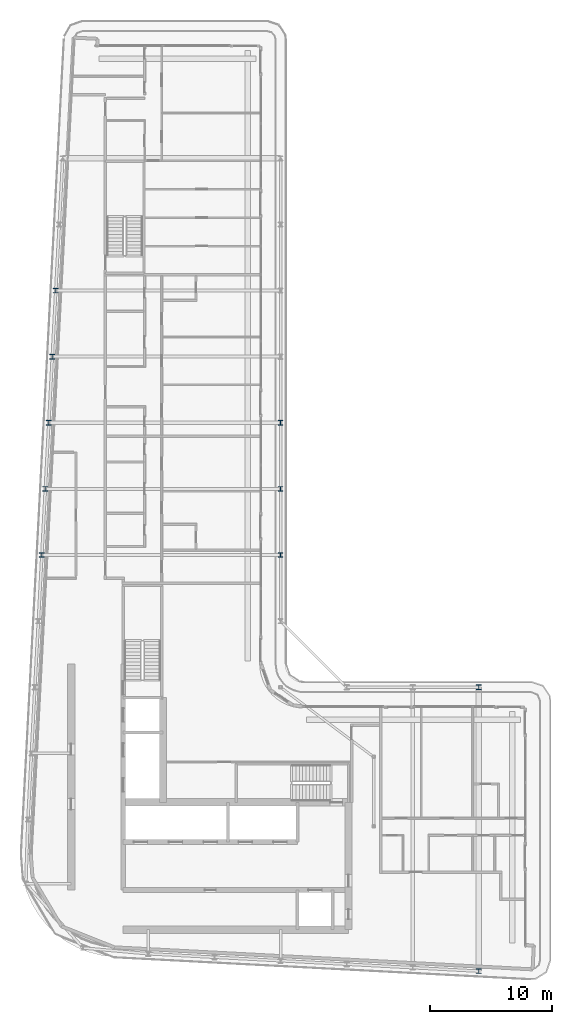
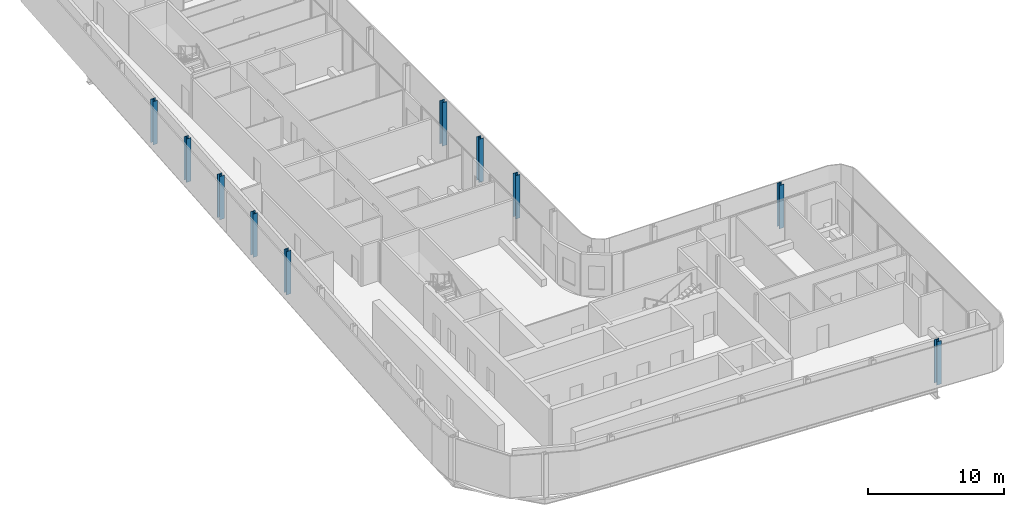
# One storey, part 3 of 21: 10 columns.
"""IFC4 building model written with IfcOpenShell, lengths in metres."""

from ifc_helpers import new_model, si_unit, direction, frame, origin, origin_2d, place, context, subcontext, project, spatial, i_section, extrude, material, material_profile, profile_set, type_object, element, save


model = new_model("IFC4")

# Units and contexts
model_context = context("Model", 3, precision=1e-05, world=origin(), true_north=direction((0.0, 1.0)))
body_context = subcontext(model_context, "Body", "Model", "MODEL_VIEW")
ifc_project = project(units=[si_unit("LENGTHUNIT", "METRE"), si_unit("AREAUNIT", "SQUARE_METRE"), si_unit("VOLUMEUNIT", "CUBIC_METRE"), si_unit("PLANEANGLEUNIT", "RADIAN"), si_unit("MASSUNIT", "GRAM", prefix="KILO")], contexts=[model_context])

# Site, building, storey
site_placement = place(None, origin())
site = spatial("IfcSite", under=ifc_project, at=site_placement, CompositionType="ELEMENT")
building_placement = place(site_placement, origin())
building = spatial("IfcBuilding", under=site, at=building_placement, Name="Kheshtan School and Residences Tower", CompositionType="ELEMENT")
storey_placement = place(building_placement, frame((0.0, 0.0, 302.0)))
storey = spatial("IfcBuildingStorey", under=building, at=storey_placement, Name="L71", CompositionType="ELEMENT", Elevation=302.0)

# Columns
ifc_material = material(Name="Steel ASTM A992 Grade 50", Category="steel")
ifc_material_profile = material_profile(ifc_material, i_section(OverallWidth=0.39501953125, OverallDepth=0.3798828125, WebThickness=0.018798828125, FlangeThickness=0.0302734375, FilletRadius=0.011474609375, at=origin_2d()), Name="W360x237")
ifc_profile_set = profile_set([ifc_material_profile], Name="Steel ASTM A992 Grade 50")
column_type = type_object("IfcColumnType", Name="Column C5 W360x237 ASTM A992 Grade 50", PredefinedType="COLUMN", material=ifc_profile_set)
for number, where, z_axis, x_axis, name in (
    (1, (63.800048828125, 22.410888671875, 0.0), (0.0, 0.0, 1.0), (1.0, 0.0, 0.0), "Column C016"),
    (2, (63.800048828125, 45.60009765625, 0.0), (0.0, 0.0, 1.0), (1.0, 0.0, 0.0), "Column C063"),
    (3, (28.10595703125, 56.39990234375, 0.0), (0.0, 0.0, 1.0), (1.0, 0.0, 0.0), "Column C080"),
    (4, (47.60009765625, 56.39990234375, 0.0), (0.0, 0.0, 1.0), (1.0, 0.0, 0.0), "Column C081"),
    (5, (28.389892578125, 61.800048828125, 0.0), (0.0, 0.0, 1.0), (1.0, 0.0, 0.0), "Column C082"),
    (6, (47.60009765625, 61.800048828125, 0.0), (0.0, 0.0, 1.0), (1.0, 0.0, 0.0), "Column C083"),
    (7, (28.674072265625, 67.199951171875, 0.0), (0.0, 0.0, 1.0), (1.0, 0.0, 0.0), "Column C084"),
    (8, (47.60009765625, 67.199951171875, 0.0), (0.0, 0.0, 1.0), (1.0, 0.0, 0.0), "Column C085"),
    (9, (28.9580078125, 72.60009765625, 0.0), (0.0, 0.0, 1.0), (1.0, 0.0, 0.0), "Column C086"),
    (10, (29.242919921875, 78.0, 0.0), (0.0, 0.0, 1.0), (1.0, 0.0, 0.0), "Column C088"),
):
    element("IfcColumn", number, at=place(storey_placement, frame(where, z_axis=z_axis, x_axis=x_axis)), inside=storey, type_object=column_type, Name=name, PredefinedType="COLUMN", context=body_context, shape_type="SweptSolid", body=[
        extrude(i_section(OverallWidth=0.39501953125, OverallDepth=0.3798828125, WebThickness=0.018798828125, FlangeThickness=0.0302734375, FilletRadius=0.011474609375, at=origin_2d()), origin(), (0.0, 0.0, 1.0), 3.89990234375),
    ])

save(model, "model.ifc")
